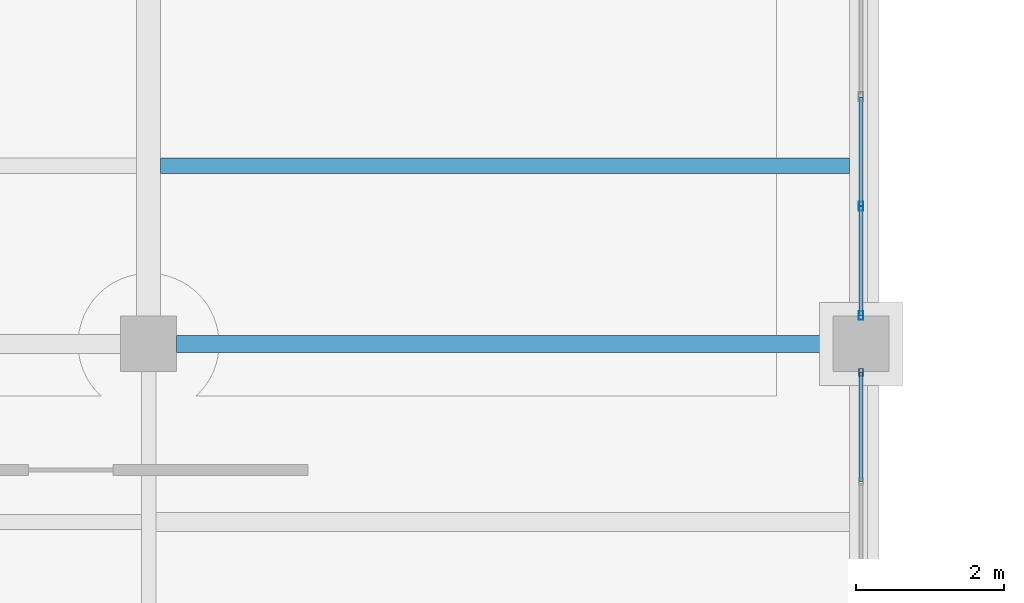
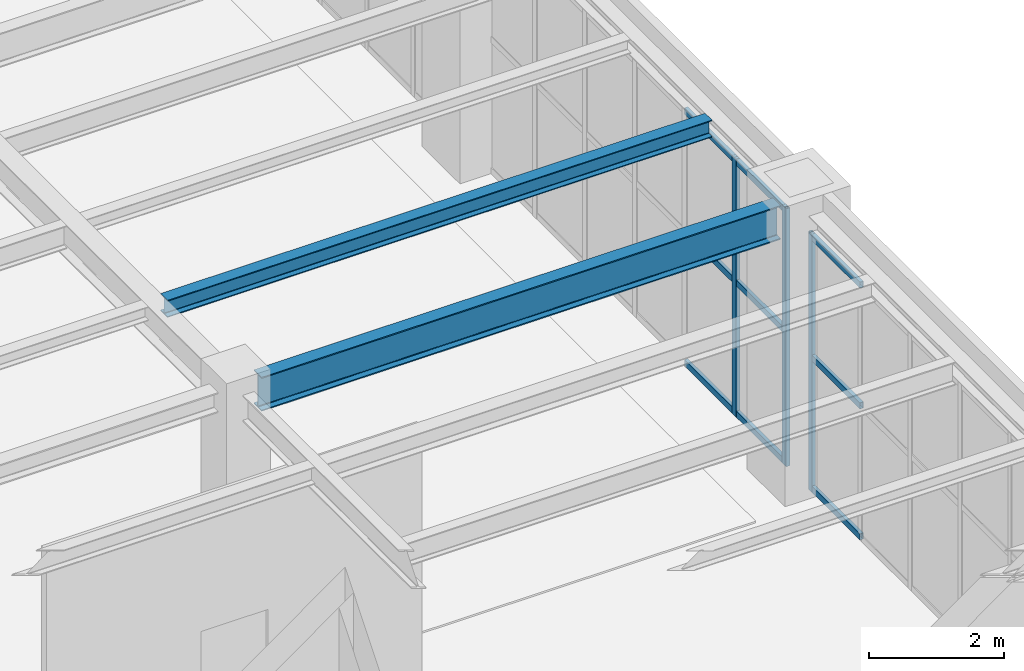
# One storey, part 68 of 164: 12 members, 2 beams, 2 elements without a shape of their own.
"""IFC4 building model written with IfcOpenShell, lengths in metres."""

from ifc_helpers import new_model, si_unit, direction, frame, origin, origin_2d, place, context, subcontext, project, spatial, hollow_rectangle, i_section, extrude, material, material_profile, profile_set, type_object, element, aggregate, save


model = new_model("IFC4")

# Units and contexts
model_context = context("Model", 3, precision=1e-05, world=origin(), true_north=direction((0.0, 1.0)))
body_context = subcontext(model_context, "Body", "Model", "MODEL_VIEW")
ifc_project = project(units=[si_unit("LENGTHUNIT", "METRE"), si_unit("AREAUNIT", "SQUARE_METRE"), si_unit("VOLUMEUNIT", "CUBIC_METRE"), si_unit("PLANEANGLEUNIT", "RADIAN"), si_unit("MASSUNIT", "GRAM", prefix="KILO")], contexts=[model_context])

# Site, building, storey
site_placement = place(None, origin())
site = spatial("IfcSite", under=ifc_project, at=site_placement, CompositionType="ELEMENT")
building_placement = place(site_placement, origin())
building = spatial("IfcBuilding", under=site, at=building_placement, Name="Mavantir Sound Aquarium", CompositionType="ELEMENT")
storey_placement = place(building_placement, origin())
storey = spatial("IfcBuildingStorey", under=building, at=storey_placement, Name="L00", CompositionType="ELEMENT", Elevation=0.0)

# Beams
ifc_material_1 = material(Name="Structural Steel ASTM A992 Gr50", Category="steel")
ifc_material_profile_1 = material_profile(ifc_material_1, i_section(OverallWidth=0.205078125, OverallDepth=0.31005859375, WebThickness=0.009521484375, FlangeThickness=0.016357421875, FilletRadius=0.012939453125, at=origin_2d()), Name="W310X74")
ifc_profile_set_1 = profile_set([ifc_material_profile_1], Name="Structural Steel ASTM A992 Gr50")
beam_type_1 = type_object("IfcBeamType", Name="BM-W310X74-I", PredefinedType="JOIST", material=ifc_profile_set_1)
beam_1_placement = place(storey_placement, frame((28.9619140625, 95.60009765625, 4.94091796875), z_axis=(1.0, 0.0, 0.0), x_axis=(0.0, 1.0, 0.0)))
element("IfcBeam", 1, at=beam_1_placement, inside=storey, type_object=beam_type_1, Name="L00 secondary floor joist SJ-31 591", PredefinedType="JOIST", context=body_context, shape_type="SweptSolid", body=[
    extrude(i_section(OverallWidth=0.205078125, OverallDepth=0.31005859375, WebThickness=0.009521484375, FlangeThickness=0.016357421875, FilletRadius=0.012939453125, at=origin_2d()), origin(), (0.0, 0.0, 1.0), 9.28564453125),
])
ifc_material_profile_2 = material_profile(ifc_material_1, i_section(OverallWidth=0.22900390625, OverallDepth=0.612060546875, WebThickness=0.011962890625, FlangeThickness=0.01953125, FilletRadius=0.01904296875, at=origin_2d()), Name="W610X125")
ifc_profile_set_2 = profile_set([ifc_material_profile_2], Name="Structural Steel ASTM A992 Gr50")
beam_type_2 = type_object("IfcBeamType", Name="BM-W610X125-I", PredefinedType="BEAM", material=ifc_profile_set_2)
beam_2_placement = place(storey_placement, frame((29.175048828125, 93.199951171875, 4.7900390625), z_axis=(1.0, 0.0, 0.0), x_axis=(0.0, 1.0, 0.0)))
element("IfcBeam", 2, at=beam_2_placement, inside=storey, type_object=beam_type_2, Name="L00 primary beam SB-61B 1037", PredefinedType="BEAM", context=body_context, shape_type="SweptSolid", body=[
    extrude(i_section(OverallWidth=0.22900390625, OverallDepth=0.612060546875, WebThickness=0.011962890625, FlangeThickness=0.01953125, FilletRadius=0.01904296875, at=origin_2d()), origin(), (0.0, 0.0, 1.0), 8.849853515625),
])

# Curtain wall, member
ifc_material_2 = material(Name="Anodised Marine Aluminium and Low-E Glass", Category="aluminium")
curtain_wall_type_1 = type_object("IfcCurtainWallType", Name="CW-T07", PredefinedType="USERDEFINED", material=ifc_material_2)
curtain_wall_1_placement = place(storey_placement, origin())
curtain_wall_1 = element("IfcCurtainWall", 3, at=curtain_wall_1_placement, inside=storey, type_object=curtain_wall_type_1, Name="L00 unitised curtain wall CW-07 31", ObjectType="UNITISED GLAZING", PredefinedType="USERDEFINED")
ifc_material_3 = material(Name="Anodised Marine Aluminium 6063-T6", Category="aluminium")
ifc_material_profile_3 = material_profile(ifc_material_3, hollow_rectangle(XDim=0.06005859375, YDim=0.10009765625, WallThickness=0.00390625, at=origin_2d()), Name="ALU-MULLION-100X60")
ifc_profile_set_3 = profile_set([ifc_material_profile_3], Name="Anodised Marine Aluminium 6063-T6")
member_type_1 = type_object("IfcMemberType", Name="CW-MUL-100", PredefinedType="MULLION", material=ifc_profile_set_3)
member_1_placement = place(storey_placement, frame((38.39990234375, 92.81689453125, 0.0), z_axis=(0.0, 0.0, 1.0), x_axis=(1.0, 0.0, 0.0)))
member_1 = element("IfcMember", 4, at=member_1_placement, type_object=member_type_1, Name="CW-L00-031 vertical mullion 7", PredefinedType="MULLION", context=body_context, shape_type="SweptSolid", body=[
    extrude(hollow_rectangle(XDim=0.06005859375, YDim=0.10009765625, WallThickness=0.00390625, at=origin_2d()), origin(), (0.0, 0.0, 1.0), 4.64892578125),
])

# Curtain wall, members
curtain_wall_type_2 = type_object("IfcCurtainWallType", Name="CW-T08", PredefinedType="USERDEFINED", material=ifc_material_2)
curtain_wall_2_placement = place(storey_placement, origin())
curtain_wall_2 = element("IfcCurtainWall", 5, at=curtain_wall_2_placement, inside=storey, type_object=curtain_wall_type_2, Name="L00 unitised curtain wall CW-08 32", ObjectType="UNITISED GLAZING", PredefinedType="USERDEFINED")
ifc_material_profile_4 = material_profile(ifc_material_3, hollow_rectangle(XDim=0.06494140625, YDim=0.1201171875, WallThickness=0.00390625, at=origin_2d()), Name="ALU-MULLION-120X65")
ifc_profile_set_4 = profile_set([ifc_material_profile_4], Name="Anodised Marine Aluminium 6063-T6")
member_type_2 = type_object("IfcMemberType", Name="CW-MUL-120", PredefinedType="MULLION", material=ifc_profile_set_4)
member_2_placement = place(storey_placement, frame((38.39990234375, 93.5830078125, 0.0), z_axis=(0.0, 0.0, 1.0), x_axis=(1.0, 0.0, 0.0)))
member_2 = element("IfcMember", 6, at=member_2_placement, type_object=member_type_2, Name="CW-L00-032 vertical mullion 1", PredefinedType="MULLION", context=body_context, shape_type="SweptSolid", body=[
    extrude(hollow_rectangle(XDim=0.06494140625, YDim=0.1201171875, WallThickness=0.00390625, at=origin_2d()), origin(), (0.0, 0.0, 1.0), 4.64892578125),
])
member_3_placement = place(storey_placement, frame((38.39990234375, 95.055419921875, 0.0), z_axis=(0.0, 0.0, 1.0), x_axis=(1.0, 0.0, 0.0)))
member_3 = element("IfcMember", 7, at=member_3_placement, type_object=member_type_2, Name="CW-L00-032 vertical mullion 2", PredefinedType="MULLION", context=body_context, shape_type="SweptSolid", body=[
    extrude(hollow_rectangle(XDim=0.06494140625, YDim=0.1201171875, WallThickness=0.00390625, at=origin_2d()), origin(), (0.0, 0.0, 1.0), 4.64892578125),
])

# Member
ifc_material_profile_5 = material_profile(ifc_material_3, hollow_rectangle(XDim=0.06005859375, YDim=0.110107421875, WallThickness=0.00390625, at=origin_2d()), Name="ALU-TRANSOM-110X60")
ifc_profile_set_5 = profile_set([ifc_material_profile_5], Name="Anodised Marine Aluminium 6063-T6")
member_type_3 = type_object("IfcMemberType", Name="CW-TRN-110", PredefinedType="USERDEFINED", material=ifc_profile_set_5)
member_4_placement = place(storey_placement, frame((38.39990234375, 91.3447265625, 0.054931640625), z_axis=(0.0, 1.0, 0.0), x_axis=(-1.0, 0.0, 0.0)))
member_4 = element("IfcMember", 8, at=member_4_placement, type_object=member_type_3, Name="CW-L00-031 transom 6.1", ObjectType="TRANSOM", PredefinedType="USERDEFINED", context=body_context, shape_type="SweptSolid", body=[
    extrude(hollow_rectangle(XDim=0.06005859375, YDim=0.110107421875, WallThickness=0.00390625, at=origin_2d()), origin(), (0.0, 0.0, 1.0), 1.47216796875),
])

member_5_placement = place(storey_placement, frame((38.39990234375, 91.3447265625, 2.41748046875), z_axis=(0.0, 1.0, 0.0), x_axis=(-1.0, 0.0, 0.0)))
member_5 = element("IfcMember", 9, at=member_5_placement, type_object=member_type_3, Name="CW-L00-031 transom 6.2", ObjectType="TRANSOM", PredefinedType="USERDEFINED", context=body_context, shape_type="SweptSolid", body=[
    extrude(hollow_rectangle(XDim=0.06005859375, YDim=0.110107421875, WallThickness=0.00390625, at=origin_2d()), origin(), (0.0, 0.0, 1.0), 1.47216796875),
])

member_6_placement = place(storey_placement, frame((38.39990234375, 91.3447265625, 4.593994140625), z_axis=(0.0, 1.0, 0.0), x_axis=(-1.0, 0.0, 0.0)))
member_6 = element("IfcMember", 10, at=member_6_placement, type_object=member_type_3, Name="CW-L00-031 transom 6.3", ObjectType="TRANSOM", PredefinedType="USERDEFINED", context=body_context, shape_type="SweptSolid", body=[
    extrude(hollow_rectangle(XDim=0.06005859375, YDim=0.110107421875, WallThickness=0.00390625, at=origin_2d()), origin(), (0.0, 0.0, 1.0), 1.47216796875),
])

aggregate(curtain_wall_1, [member_1, member_4, member_5, member_6])

member_7_placement = place(storey_placement, frame((38.39990234375, 93.5830078125, 0.054931640625), z_axis=(0.0, 1.0, 0.0), x_axis=(-1.0, 0.0, 0.0)))
member_7 = element("IfcMember", 11, at=member_7_placement, type_object=member_type_3, Name="CW-L00-032 transom 1.1", ObjectType="TRANSOM", PredefinedType="USERDEFINED", context=body_context, shape_type="SweptSolid", body=[
    extrude(hollow_rectangle(XDim=0.06005859375, YDim=0.110107421875, WallThickness=0.00390625, at=origin_2d()), origin(), (0.0, 0.0, 1.0), 1.472412109375),
])

member_8_placement = place(storey_placement, frame((38.39990234375, 93.5830078125, 2.41748046875), z_axis=(0.0, 1.0, 0.0), x_axis=(-1.0, 0.0, 0.0)))
member_8 = element("IfcMember", 12, at=member_8_placement, type_object=member_type_3, Name="CW-L00-032 transom 1.2", ObjectType="TRANSOM", PredefinedType="USERDEFINED", context=body_context, shape_type="SweptSolid", body=[
    extrude(hollow_rectangle(XDim=0.06005859375, YDim=0.110107421875, WallThickness=0.00390625, at=origin_2d()), origin(), (0.0, 0.0, 1.0), 1.472412109375),
])

member_9_placement = place(storey_placement, frame((38.39990234375, 93.5830078125, 4.593994140625), z_axis=(0.0, 1.0, 0.0), x_axis=(-1.0, 0.0, 0.0)))
member_9 = element("IfcMember", 13, at=member_9_placement, type_object=member_type_3, Name="CW-L00-032 transom 1.3", ObjectType="TRANSOM", PredefinedType="USERDEFINED", context=body_context, shape_type="SweptSolid", body=[
    extrude(hollow_rectangle(XDim=0.06005859375, YDim=0.110107421875, WallThickness=0.00390625, at=origin_2d()), origin(), (0.0, 0.0, 1.0), 1.472412109375),
])

member_10_placement = place(storey_placement, frame((38.39990234375, 95.055419921875, 0.054931640625), z_axis=(0.0, 1.0, 0.0), x_axis=(-1.0, 0.0, 0.0)))
member_10 = element("IfcMember", 14, at=member_10_placement, type_object=member_type_3, Name="CW-L00-032 transom 2.1", ObjectType="TRANSOM", PredefinedType="USERDEFINED", context=body_context, shape_type="SweptSolid", body=[
    extrude(hollow_rectangle(XDim=0.06005859375, YDim=0.110107421875, WallThickness=0.00390625, at=origin_2d()), origin(), (0.0, 0.0, 1.0), 1.47216796875),
])

member_11_placement = place(storey_placement, frame((38.39990234375, 95.055419921875, 2.41748046875), z_axis=(0.0, 1.0, 0.0), x_axis=(-1.0, 0.0, 0.0)))
member_11 = element("IfcMember", 15, at=member_11_placement, type_object=member_type_3, Name="CW-L00-032 transom 2.2", ObjectType="TRANSOM", PredefinedType="USERDEFINED", context=body_context, shape_type="SweptSolid", body=[
    extrude(hollow_rectangle(XDim=0.06005859375, YDim=0.110107421875, WallThickness=0.00390625, at=origin_2d()), origin(), (0.0, 0.0, 1.0), 1.47216796875),
])

member_12_placement = place(storey_placement, frame((38.39990234375, 95.055419921875, 4.593994140625), z_axis=(0.0, 1.0, 0.0), x_axis=(-1.0, 0.0, 0.0)))
member_12 = element("IfcMember", 16, at=member_12_placement, type_object=member_type_3, Name="CW-L00-032 transom 2.3", ObjectType="TRANSOM", PredefinedType="USERDEFINED", context=body_context, shape_type="SweptSolid", body=[
    extrude(hollow_rectangle(XDim=0.06005859375, YDim=0.110107421875, WallThickness=0.00390625, at=origin_2d()), origin(), (0.0, 0.0, 1.0), 1.47216796875),
])

aggregate(curtain_wall_2, [member_2, member_3, member_7, member_8, member_9, member_10, member_11, member_12])

save(model, "model.ifc")
